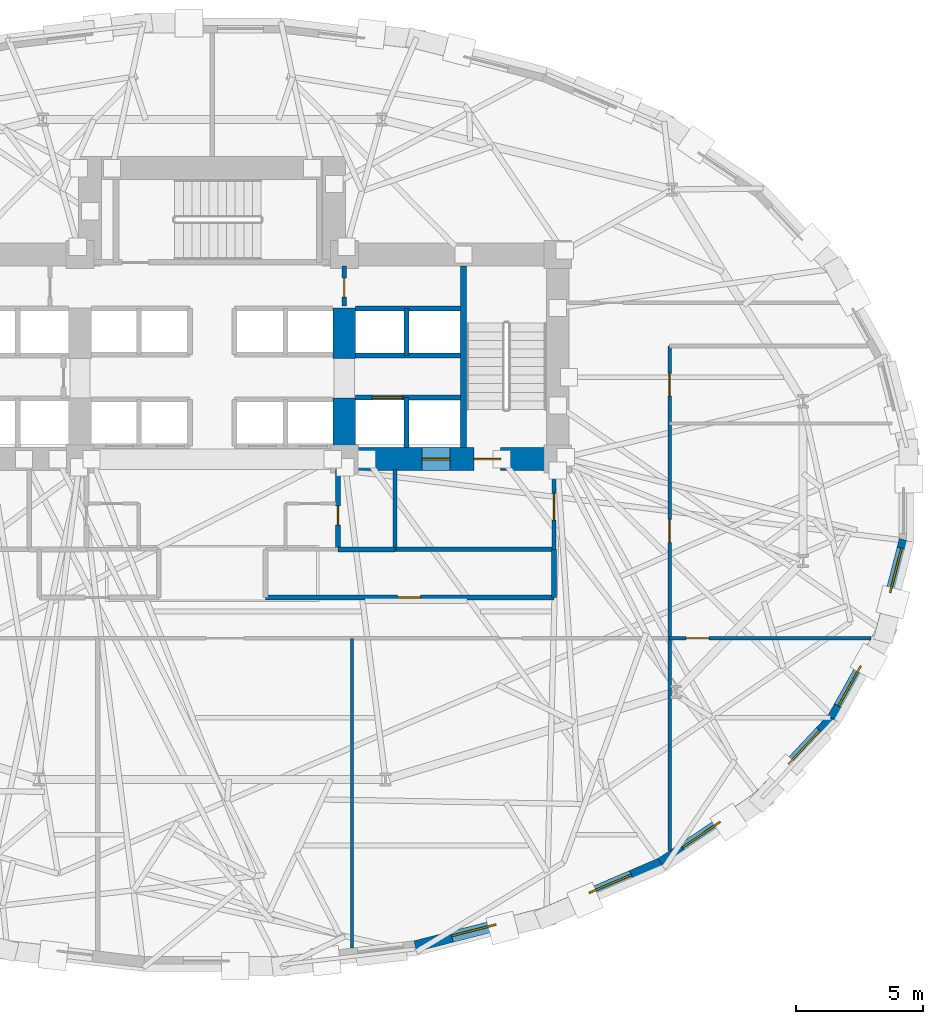
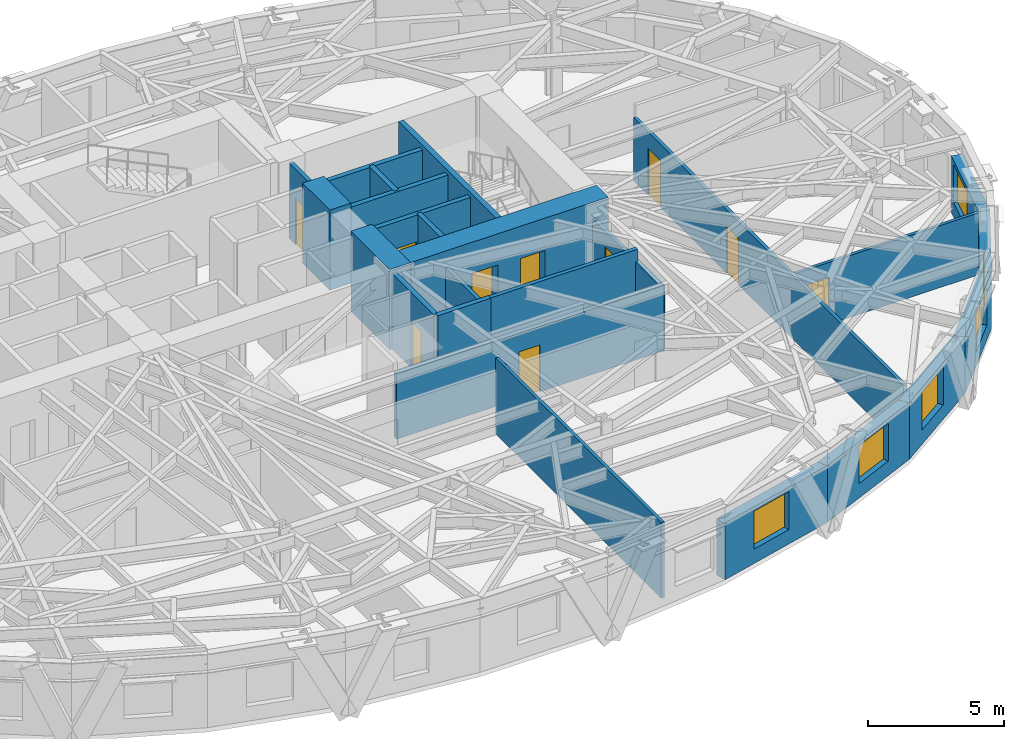
# One storey, part 8 of 14: 26 walls, 10 doors, 6 windows, 16 openings.
"""IFC4 building model written with IfcOpenShell, lengths in metres."""

from ifc_helpers import new_model, si_unit, direction, frame, frame_2d, origin, place, context, subcontext, project, spatial, rectangle, extrude, material, layer, layer_set, type_object, element, fill, save


model = new_model("IFC4")

# Units and contexts
model_context = context("Model", 3, precision=1e-05, world=origin(), true_north=direction((0.0, 1.0)))
body_context = subcontext(model_context, "Body", "Model", "MODEL_VIEW")
ifc_project = project(units=[si_unit("LENGTHUNIT", "METRE"), si_unit("AREAUNIT", "SQUARE_METRE"), si_unit("VOLUMEUNIT", "CUBIC_METRE"), si_unit("PLANEANGLEUNIT", "RADIAN"), si_unit("MASSUNIT", "GRAM", prefix="KILO")], contexts=[model_context])

# Site, building, storey
site_placement = place(None, origin())
site = spatial("IfcSite", under=ifc_project, at=site_placement, CompositionType="ELEMENT")
building_placement = place(site_placement, origin())
building = spatial("IfcBuilding", under=site, at=building_placement, Name="Keldmark Tower", CompositionType="ELEMENT")
storey_placement = place(building_placement, frame((0.0, 0.0, 48.60009765625)))
storey = spatial("IfcBuildingStorey", under=building, at=storey_placement, Name="L12", CompositionType="ELEMENT", Elevation=48.60009765625)

# Wall, openings, doors
ifc_material_1 = material(Name="Acoustic Double-Layer Gypsum Corridor Partition", Category="gypsum")
ifc_layer_1 = layer(ifc_material_1, 0.139892578125)
ifc_layer_set_1 = layer_set([ifc_layer_1], Name="Acoustic Double-Layer Gypsum Corridor Partition")
wall_type_1 = type_object("IfcWallType", Name="Acoustic Corridor Partition 140 mm", PredefinedType="PARTITIONING", material=ifc_layer_set_1)
wall_1_placement = place(storey_placement, frame((18.0, -13.999755859375, 0.0), z_axis=(0.0, 0.0, 1.0), x_axis=(0.0, 1.0, 0.0)))
wall_1 = element("IfcWall", 1, at=wall_1_placement, inside=storey, type_object=wall_type_1, Name="L12 Acoustic Corridor Partition 140 mm COR-E", PredefinedType="PARTITIONING", context=body_context, shape_type="SweptSolid", body=[
    extrude(rectangle(XDim=19.849853515625, YDim=0.139892578125, at=frame_2d((9.9248046875, 0.0))), origin(), (0.0, 0.0, 1.0), 2.8408203125),
])
opening_1_placement = place(wall_1_placement, frame((12.12451171875, 0.0, 0.0)))
opening_1 = element("IfcOpeningElement", 2, at=opening_1_placement, cuts=wall_1, Name="Opening D-IN090", PredefinedType="OPENING", context=body_context, shape_type="SweptSolid", body=[
    extrude(rectangle(XDim=0.89990234375, YDim=2.10009765625, at=frame_2d((0.449951171875, 1.050048828125))), frame((0.0, 0.079833984375, 0.0), z_axis=(0.0, -1.0, 0.0), x_axis=(1.0, 0.0, 0.0)), (0.0, 0.0, 1.0), 0.159912109375),
])
opening_2_placement = place(wall_1_placement, frame((17.87451171875, 0.0, 0.0)))
opening_2 = element("IfcOpeningElement", 3, at=opening_2_placement, cuts=wall_1, Name="Opening D-IN090", PredefinedType="OPENING", context=body_context, shape_type="SweptSolid", body=[
    extrude(rectangle(XDim=0.89990234375, YDim=2.10009765625, at=frame_2d((0.449951171875, 1.050048828125))), frame((0.0, 0.079833984375, 0.0), z_axis=(0.0, -1.0, 0.0), x_axis=(1.0, 0.0, 0.0)), (0.0, 0.0, 1.0), 0.159912109375),
])
ifc_material_2 = material(Name="Stained American White Oak Veneer", Category="wood")
door_type_1 = type_object("IfcDoorType", Name="Interior Door 900x2100", OperationType="NOTDEFINED", PredefinedType="DOOR", material=ifc_material_2)
door_1_placement = place(opening_1_placement, origin())
door_1 = element("IfcDoor", 4, at=door_1_placement, inside=storey, type_object=door_type_1, Name="L12 Interior Door 900x2100 D-ER-1-L12", OperationType="SINGLE_SWING_RIGHT", OverallHeight=2.10009765625, OverallWidth=0.89990234375, PredefinedType="DOOR", context=body_context, shape_type="SweptSolid", body=[
    extrude(rectangle(XDim=0.89990234375, YDim=2.10009765625, at=frame_2d((0.449951171875, 1.050048828125))), frame((0.0, 0.02490234375, 0.0), z_axis=(0.0, -1.0, 0.0), x_axis=(1.0, 0.0, 0.0)), (0.0, 0.0, 1.0), 0.050048828125),
])
fill(opening_1, door_1)
door_2_placement = place(opening_2_placement, origin())
door_2 = element("IfcDoor", 5, at=door_2_placement, inside=storey, type_object=door_type_1, Name="L12 Interior Door 900x2100 D-ER-2-L12", OperationType="SINGLE_SWING_LEFT", OverallHeight=2.10009765625, OverallWidth=0.89990234375, PredefinedType="DOOR", context=body_context, shape_type="SweptSolid", body=[
    extrude(rectangle(XDim=0.89990234375, YDim=2.10009765625, at=frame_2d((0.449951171875, 1.050048828125))), frame((0.0, 0.02490234375, 0.0), z_axis=(0.0, -1.0, 0.0), x_axis=(1.0, 0.0, 0.0)), (0.0, 0.0, 1.0), 0.050048828125),
])
fill(opening_2, door_2)

# Wall, opening, door
ifc_material_3 = material(Name="Heavy Acoustic Plumbing Chase Gypsum Assembly", Category="gypsum")
ifc_layer_2 = layer(ifc_material_3, 0.18994140625)
ifc_layer_set_2 = layer_set([ifc_layer_2], Name="Heavy Acoustic Plumbing Chase Gypsum Assembly")
wall_type_2 = type_object("IfcWallType", Name="Heavy Wet Wall 190 mm", PredefinedType="PLUMBINGWALL", material=ifc_layer_set_2)
wall_2_placement = place(storey_placement, frame((2.10009765625, -4.050048828125, 0.0), z_axis=(0.0, 0.0, 1.0), x_axis=(1.0, 0.0, 0.0)))
wall_2 = element("IfcWall", 6, at=wall_2_placement, inside=storey, type_object=wall_type_2, Name="L12 Heavy Wet Wall 190 mm SPK-E-S", PredefinedType="PLUMBINGWALL", context=body_context, shape_type="SweptSolid", body=[
    extrude(rectangle(XDim=11.349853515625, YDim=0.18994140625, at=frame_2d((5.6748046875, 0.0))), origin(), (0.0, 0.0, 1.0), 2.932861328125),
])
opening_3_placement = place(wall_2_placement, frame((5.199951171875, 0.0, 0.0)))
opening_3 = element("IfcOpeningElement", 7, at=opening_3_placement, cuts=wall_2, Name="Opening D-IN090", PredefinedType="OPENING", context=body_context, shape_type="SweptSolid", body=[
    extrude(rectangle(XDim=0.89990234375, YDim=2.10009765625, at=frame_2d((0.449951171875, 1.050048828125))), frame((0.0, 0.10498046875, 0.0), z_axis=(0.0, -1.0, 0.0), x_axis=(1.0, 0.0, 0.0)), (0.0, 0.0, 1.0), 0.2099609375),
])
door_3_placement = place(opening_3_placement, origin())
door_3 = element("IfcDoor", 8, at=door_3_placement, inside=storey, type_object=door_type_1, Name="L12 Interior Door 900x2100 D-SPKE1-L12", OperationType="SINGLE_SWING_RIGHT", OverallHeight=2.10009765625, OverallWidth=0.89990234375, PredefinedType="DOOR", context=body_context, shape_type="SweptSolid", body=[
    extrude(rectangle(XDim=0.89990234375, YDim=2.10009765625, at=frame_2d((0.449951171875, 1.050048828125))), frame((0.0, 0.02490234375, 0.0), z_axis=(0.0, -1.0, 0.0), x_axis=(1.0, 0.0, 0.0)), (0.0, 0.0, 1.0), 0.050048828125),
])
fill(opening_3, door_3)

# Walls
wall_3_placement = place(storey_placement, frame((13.449951171875, -4.050048828125, 0.0), z_axis=(0.0, 0.0, 1.0), x_axis=(0.0, 1.0, 0.0)))
element("IfcWall", 9, at=wall_3_placement, inside=storey, type_object=wall_type_2, Name="L12 Heavy Wet Wall 190 mm SPK-E-E", PredefinedType="PLUMBINGWALL", context=body_context, shape_type="SweptSolid", body=[
    extrude(rectangle(XDim=1.900146484375, YDim=0.18994140625, at=frame_2d((0.9501953125, 0.0))), origin(), (0.0, 0.0, 1.0), 2.852783203125),
])
ifc_material_4 = material(Name="Acoustic Gypsum Board Interior Partition", Category="gypsum")
ifc_layer_3 = layer(ifc_material_4, 0.1298828125)
ifc_layer_set_3 = layer_set([ifc_layer_3], Name="Acoustic Gypsum Board Interior Partition")
wall_type_3 = type_object("IfcWallType", Name="Interior Partition 130 mm", PredefinedType="PARTITIONING", material=ifc_layer_set_3)
wall_4_placement = place(storey_placement, frame((5.5, -17.83154296875, 0.0), z_axis=(0.0, 0.0, 1.0), x_axis=(0.0, 1.0, 0.0)))
element("IfcWall", 10, at=wall_4_placement, inside=storey, type_object=wall_type_3, Name="L12 Interior Partition 130 mm S-DIV-2", PredefinedType="PARTITIONING", context=body_context, shape_type="SweptSolid", body=[
    extrude(rectangle(XDim=12.181640625, YDim=0.1298828125, at=frame_2d((6.0908203125, 0.0))), origin(), (0.0, 0.0, 1.0), 3.39990234375),
])

# Wall, opening, door
wall_5_placement = place(storey_placement, frame((18.0, -5.64990234375, 0.0), z_axis=(0.0, 0.0, 1.0), x_axis=(1.0, 0.0, 0.0)))
wall_5 = element("IfcWall", 11, at=wall_5_placement, inside=storey, type_object=wall_type_3, Name="L12 Interior Partition 130 mm E-CAP-S", PredefinedType="PARTITIONING", context=body_context, shape_type="SweptSolid", body=[
    extrude(rectangle(XDim=7.91650390625, YDim=0.1298828125, at=frame_2d((3.958251953125, 0.0))), origin(), (0.0, 0.0, 1.0), 2.77880859375),
])
opening_4_placement = place(wall_5_placement, frame((0.64990234375, 0.0, 0.0)))
opening_4 = element("IfcOpeningElement", 12, at=opening_4_placement, cuts=wall_5, Name="Opening D-IN090", PredefinedType="OPENING", context=body_context, shape_type="SweptSolid", body=[
    extrude(rectangle(XDim=0.89990234375, YDim=2.10009765625, at=frame_2d((0.449951171875, 1.050048828125))), frame((0.0, 0.074951171875, 0.0), z_axis=(0.0, -1.0, 0.0), x_axis=(1.0, 0.0, 0.0)), (0.0, 0.0, 1.0), 0.14990234375),
])
door_4_placement = place(opening_4_placement, origin())
door_4 = element("IfcDoor", 13, at=door_4_placement, inside=storey, type_object=door_type_1, Name="L12 Interior Door 900x2100 D-ERSE-L12", OperationType="SINGLE_SWING_RIGHT", OverallHeight=2.10009765625, OverallWidth=0.89990234375, PredefinedType="DOOR", context=body_context, shape_type="SweptSolid", body=[
    extrude(rectangle(XDim=0.89990234375, YDim=2.10009765625, at=frame_2d((0.449951171875, 1.050048828125))), frame((0.0, 0.02490234375, 0.0), z_axis=(0.0, -1.0, 0.0), x_axis=(1.0, 0.0, 0.0)), (0.0, 0.0, 1.0), 0.050048828125),
])
fill(opening_4, door_4)

# Wall, openings, doors
ifc_material_5 = material(Name="Concrete C70/85", Category="concrete")
ifc_layer_4 = layer(ifc_material_5, 0.89990234375)
ifc_layer_set_4 = layer_set([ifc_layer_4], Name="Concrete C70/85")
wall_type_4 = type_object("IfcWallType", Name="Lower Core Shear Wall 900 mm", PredefinedType="SHEAR", material=ifc_layer_set_4)
wall_6_placement = place(storey_placement, frame((14.050048828125, 1.39990234375, 0.0), z_axis=(0.0, 0.0, 1.0), x_axis=(-1.0, 0.0, 0.0)))
wall_6 = element("IfcWall", 14, at=wall_6_placement, inside=storey, type_object=wall_type_4, Name="L12 East Core South Shear Wall", PredefinedType="SHEAR", context=body_context, shape_type="SweptSolid", body=[
    extrude(rectangle(XDim=9.300048828125, YDim=0.89990234375, at=frame_2d((4.64990234375, 0.0))), origin(), (0.0, 0.0, 1.0), 3.599853515625),
])
opening_5_placement = place(wall_6_placement, frame((2.699951171875, 0.0, 0.0)))
opening_5 = element("IfcOpeningElement", 15, at=opening_5_placement, cuts=wall_6, Name="Opening D-ST105", PredefinedType="OPENING", context=body_context, shape_type="SweptSolid", body=[
    extrude(rectangle(XDim=1.050048828125, YDim=2.14990234375, at=frame_2d((0.52490234375, 1.074951171875))), frame((0.0, 0.4599609375, 0.0), z_axis=(0.0, -1.0, 0.0), x_axis=(1.0, 0.0, 0.0)), (0.0, 0.0, 1.0), 0.919921875),
])
opening_6_placement = place(wall_6_placement, frame((4.699951171875, 0.0, 0.0)))
opening_6 = element("IfcOpeningElement", 16, at=opening_6_placement, cuts=wall_6, Name="Opening LD-110", PredefinedType="OPENING", context=body_context, shape_type="SweptSolid", body=[
    extrude(rectangle(XDim=1.10009765625, YDim=2.199951171875, at=frame_2d((0.550048828125, 1.10009765625))), frame((0.0, 0.4599609375, 0.0), z_axis=(0.0, -1.0, 0.0), x_axis=(1.0, 0.0, 0.0)), (0.0, 0.0, 1.0), 0.919921875),
])
ifc_material_6 = material(Name="Brushed Bronze Hoistway Sliding Leaf", Category="metal")
door_type_2 = type_object("IfcDoorType", Name="Lift Landing Sliding Door 1100x2200", OperationType="SLIDING_TO_LEFT", PredefinedType="DOOR", material=ifc_material_6)
door_5_placement = place(opening_6_placement, origin())
door_5 = element("IfcDoor", 17, at=door_5_placement, inside=storey, type_object=door_type_2, Name="L12 Lift Landing Sliding Door 1100x2200 LD-EL-FS2-L12", OperationType="SLIDING_TO_LEFT", OverallHeight=2.199951171875, OverallWidth=1.10009765625, PredefinedType="DOOR", context=body_context, shape_type="SweptSolid", body=[
    extrude(rectangle(XDim=1.10009765625, YDim=2.199951171875, at=frame_2d((0.550048828125, 1.10009765625))), frame((0.0, 0.02490234375, 0.0), z_axis=(0.0, -1.0, 0.0), x_axis=(1.0, 0.0, 0.0)), (0.0, 0.0, 1.0), 0.050048828125),
])
fill(opening_6, door_5)
ifc_material_7 = material(Name="Hollow Metal Fire-Rated Door Assembly", Category="metal")
door_type_3 = type_object("IfcDoorType", Name="Stair Fire Door 1050x2150", OperationType="NOTDEFINED", PredefinedType="DOOR", material=ifc_material_7)
door_6_placement = place(opening_5_placement, origin())
door_6 = element("IfcDoor", 18, at=door_6_placement, inside=storey, type_object=door_type_3, Name="L12 Stair Fire Door 1050x2150 D-ST2-L12", OperationType="SINGLE_SWING_LEFT", OverallHeight=2.14990234375, OverallWidth=1.050048828125, PredefinedType="DOOR", context=body_context, shape_type="SweptSolid", body=[
    extrude(rectangle(XDim=1.050048828125, YDim=2.14990234375, at=frame_2d((0.52490234375, 1.074951171875))), frame((0.0, 0.02490234375, 0.0), z_axis=(0.0, -1.0, 0.0), x_axis=(1.0, 0.0, 0.0)), (0.0, 0.0, 1.0), 0.050048828125),
])
fill(opening_5, door_6)

# Walls
wall_7_placement = place(storey_placement, frame((5.199951171875, 0.949951171875, 0.0), z_axis=(0.0, 0.0, 1.0), x_axis=(0.0, 1.0, 0.0)))
element("IfcWall", 19, at=wall_7_placement, inside=storey, type_object=wall_type_4, Name="L12 East Core Inner Shear Pier South", PredefinedType="SHEAR", context=body_context, shape_type="SweptSolid", body=[
    extrude(rectangle(XDim=2.85009765625, YDim=0.89990234375, at=frame_2d((1.425048828125, 0.0))), origin(), (0.0, 0.0, 1.0), 3.599853515625),
])
wall_8_placement = place(storey_placement, frame((5.199951171875, 5.35009765625, 0.0), z_axis=(0.0, 0.0, 1.0), x_axis=(0.0, 1.0, 0.0)))
element("IfcWall", 20, at=wall_8_placement, inside=storey, type_object=wall_type_4, Name="L12 East Core Inner Shear Pier North", PredefinedType="SHEAR", context=body_context, shape_type="SweptSolid", body=[
    extrude(rectangle(XDim=2.0, YDim=0.89990234375, at=frame_2d((1.0, 0.0))), origin(), (0.0, 0.0, 1.0), 3.599853515625),
])
ifc_material_8 = material(Name="Type X Fire-Rated Gypsum Partition Assembly", Category="gypsum")
ifc_layer_5 = layer(ifc_material_8, 0.1650390625)
ifc_layer_set_5 = layer_set([ifc_layer_5], Name="Type X Fire-Rated Gypsum Partition Assembly")
wall_type_5 = type_object("IfcWallType", Name="Rated Partition 165 mm", PredefinedType="PARTITIONING", material=ifc_layer_set_5)
wall_9_placement = place(storey_placement, frame((7.199951171875, -2.14990234375, 0.0), z_axis=(0.0, 0.0, 1.0), x_axis=(1.0, 0.0, 0.0)))
element("IfcWall", 21, at=wall_9_placement, inside=storey, type_object=wall_type_5, Name="L12 Rated Partition 165 mm FSAE-E-S", PredefinedType="PARTITIONING", context=body_context, shape_type="SweptSolid", body=[
    extrude(rectangle(XDim=6.25, YDim=0.1650390625, at=frame_2d((3.125, 0.0))), origin(), (0.0, 0.0, 1.0), 3.39990234375),
])
wall_10_placement = place(storey_placement, frame((7.199951171875, -2.14990234375, 0.0), z_axis=(0.0, 0.0, 1.0), x_axis=(0.0, 1.0, 0.0)))
element("IfcWall", 22, at=wall_10_placement, inside=storey, type_object=wall_type_5, Name="L12 Rated Partition 165 mm FSAE-E-W", PredefinedType="PARTITIONING", context=body_context, shape_type="SweptSolid", body=[
    extrude(rectangle(XDim=3.14990234375, YDim=0.1650390625, at=frame_2d((1.574951171875, 0.0))), origin(), (0.0, 0.0, 1.0), 2.852783203125),
])

# Wall, opening, door
wall_11_placement = place(storey_placement, frame((13.449951171875, -2.14990234375, 0.0), z_axis=(0.0, 0.0, 1.0), x_axis=(0.0, 1.0, 0.0)))
wall_11 = element("IfcWall", 23, at=wall_11_placement, inside=storey, type_object=wall_type_5, Name="L12 Rated Partition 165 mm FSAE-E-E", PredefinedType="PARTITIONING", context=body_context, shape_type="SweptSolid", body=[
    extrude(rectangle(XDim=3.14990234375, YDim=0.1650390625, at=frame_2d((1.574951171875, 0.0))), origin(), (0.0, 0.0, 1.0), 2.852783203125),
])
opening_7_placement = place(wall_11_placement, frame((1.14990234375, 0.0, 0.0)))
opening_7 = element("IfcOpeningElement", 24, at=opening_7_placement, cuts=wall_11, Name="Opening D-FL105", PredefinedType="OPENING", context=body_context, shape_type="SweptSolid", body=[
    extrude(rectangle(XDim=1.050048828125, YDim=2.14990234375, at=frame_2d((0.52490234375, 1.074951171875))), frame((0.0, 0.092529296875, 0.0), z_axis=(0.0, -1.0, 0.0), x_axis=(1.0, 0.0, 0.0)), (0.0, 0.0, 1.0), 0.18505859375),
])
ifc_material_9 = material(Name="Fire-Rated Mineral-Core Door and Vision Lite", Category="metal")
door_type_4 = type_object("IfcDoorType", Name="Fire Lobby Door 1050x2150", OperationType="NOTDEFINED", PredefinedType="DOOR", material=ifc_material_9)
door_7_placement = place(opening_7_placement, origin())
door_7 = element("IfcDoor", 25, at=door_7_placement, inside=storey, type_object=door_type_4, Name="L12 Fire Lobby Door 1050x2150 D-FSAEE-OUT-L12", OperationType="SINGLE_SWING_LEFT", OverallHeight=2.14990234375, OverallWidth=1.050048828125, PredefinedType="DOOR", context=body_context, shape_type="SweptSolid", body=[
    extrude(rectangle(XDim=1.050048828125, YDim=2.14990234375, at=frame_2d((0.52490234375, 1.074951171875))), frame((0.0, 0.02490234375, 0.0), z_axis=(0.0, -1.0, 0.0), x_axis=(1.0, 0.0, 0.0)), (0.0, 0.0, 1.0), 0.050048828125),
])
fill(opening_7, door_7)

wall_12_placement = place(storey_placement, frame((5.199951171875, 7.419921875, 0.0), z_axis=(0.0, 0.0, 1.0), x_axis=(0.0, 1.0, 0.0)))
wall_12 = element("IfcWall", 26, at=wall_12_placement, inside=storey, type_object=wall_type_5, Name="L12 Rated Partition 165 mm CS-NE-W", PredefinedType="PARTITIONING", context=body_context, shape_type="SweptSolid", body=[
    extrude(rectangle(XDim=1.580078125, YDim=0.1650390625, at=frame_2d((0.7900390625, 0.0))), origin(), (0.0, 0.0, 1.0), 3.39990234375),
])
opening_8_placement = place(wall_12_placement, frame((0.35009765625, 0.0, 0.0)))
opening_8 = element("IfcOpeningElement", 27, at=opening_8_placement, cuts=wall_12, Name="Opening D-RS075", PredefinedType="OPENING", context=body_context, shape_type="SweptSolid", body=[
    extrude(rectangle(XDim=0.75, YDim=2.10009765625, at=frame_2d((0.375, 1.050048828125))), frame((0.0, 0.092529296875, 0.0), z_axis=(0.0, -1.0, 0.0), x_axis=(1.0, 0.0, 0.0)), (0.0, 0.0, 1.0), 0.18505859375),
])
ifc_material_10 = material(Name="Galvanized Fire-Rated Access Leaf", Category="metal")
door_type_5 = type_object("IfcDoorType", Name="Riser Access Door 750x2100", OperationType="NOTDEFINED", PredefinedType="DOOR", material=ifc_material_10)
door_8_placement = place(opening_8_placement, origin())
door_8 = element("IfcDoor", 28, at=door_8_placement, inside=storey, type_object=door_type_5, Name="L12 Riser Access Door 750x2100 D-CSNE1-L12", OperationType="SINGLE_SWING_LEFT", OverallHeight=2.10009765625, OverallWidth=0.75, PredefinedType="DOOR", context=body_context, shape_type="SweptSolid", body=[
    extrude(rectangle(XDim=0.75, YDim=2.10009765625, at=frame_2d((0.375, 1.050048828125))), frame((0.0, 0.02490234375, 0.0), z_axis=(0.0, -1.0, 0.0), x_axis=(1.0, 0.0, 0.0)), (0.0, 0.0, 1.0), 0.050048828125),
])
fill(opening_8, door_8)

# Wall
ifc_material_11 = material(Name="Fire-Resistant Type X Gypsum Shaftliner Coreboard", Category="gypsum")
ifc_layer_6 = layer(ifc_material_11, 0.199951171875)
ifc_layer_set_6 = layer_set([ifc_layer_6], Name="Fire-Resistant Type X Gypsum Shaftliner Coreboard")
wall_type_6 = type_object("IfcWallType", Name="Shaft Wall 200 mm", PredefinedType="SOLIDWALL", material=ifc_layer_set_6)
wall_13_placement = place(storey_placement, frame((4.949951171875, -2.14990234375, 0.0), z_axis=(0.0, 0.0, 1.0), x_axis=(1.0, 0.0, 0.0)))
element("IfcWall", 29, at=wall_13_placement, inside=storey, type_object=wall_type_6, Name="L12 Shaft Wall 200 mm RIS-SE-S", PredefinedType="SOLIDWALL", context=body_context, shape_type="SweptSolid", body=[
    extrude(rectangle(XDim=2.25, YDim=0.199951171875, at=frame_2d((1.125, 0.0))), origin(), (0.0, 0.0, 1.0), 3.39990234375),
])

# Wall, opening, door
wall_14_placement = place(storey_placement, frame((4.949951171875, -2.14990234375, 0.0), z_axis=(0.0, 0.0, 1.0), x_axis=(0.0, 1.0, 0.0)))
wall_14 = element("IfcWall", 30, at=wall_14_placement, inside=storey, type_object=wall_type_6, Name="L12 Shaft Wall 200 mm RIS-SE-W", PredefinedType="SOLIDWALL", context=body_context, shape_type="SweptSolid", body=[
    extrude(rectangle(XDim=3.14990234375, YDim=0.199951171875, at=frame_2d((1.574951171875, 0.0))), origin(), (0.0, 0.0, 1.0), 3.39990234375),
])
opening_9_placement = place(wall_14_placement, frame((0.949951171875, 0.0, 0.0)))
opening_9 = element("IfcOpeningElement", 31, at=opening_9_placement, cuts=wall_14, Name="Opening D-RS075", PredefinedType="OPENING", context=body_context, shape_type="SweptSolid", body=[
    extrude(rectangle(XDim=0.75, YDim=2.10009765625, at=frame_2d((0.375, 1.050048828125))), frame((0.0, 0.10986328125, 0.0), z_axis=(0.0, -1.0, 0.0), x_axis=(1.0, 0.0, 0.0)), (0.0, 0.0, 1.0), 0.219970703125),
])
door_9_placement = place(opening_9_placement, origin())
door_9 = element("IfcDoor", 32, at=door_9_placement, inside=storey, type_object=door_type_5, Name="L12 Riser Access Door 750x2100 D-RISSE-L12", OperationType="SINGLE_SWING_LEFT", OverallHeight=2.10009765625, OverallWidth=0.75, PredefinedType="DOOR", context=body_context, shape_type="SweptSolid", body=[
    extrude(rectangle(XDim=0.75, YDim=2.10009765625, at=frame_2d((0.375, 1.050048828125))), frame((0.0, 0.02490234375, 0.0), z_axis=(0.0, -1.0, 0.0), x_axis=(1.0, 0.0, 0.0)), (0.0, 0.0, 1.0), 0.050048828125),
])
fill(opening_9, door_9)

wall_15_placement = place(storey_placement, frame((5.64990234375, 3.820068359375, 0.0), z_axis=(0.0, 0.0, 1.0), x_axis=(1.0, 0.0, 0.0)))
wall_15 = element("IfcWall", 33, at=wall_15_placement, inside=storey, type_object=wall_type_6, Name="L12 Shaft Wall 200 mm HW-E-S", PredefinedType="SOLIDWALL", context=body_context, shape_type="SweptSolid", body=[
    extrude(rectangle(XDim=4.130126953125, YDim=0.199951171875, at=frame_2d((2.06494140625, 0.0))), origin(), (0.0, 0.0, 1.0), 3.39990234375),
])
opening_10_placement = place(wall_15_placement, frame((0.64990234375, 0.0, 0.0)))
opening_10 = element("IfcOpeningElement", 34, at=opening_10_placement, cuts=wall_15, Name="Opening LD-120", PredefinedType="OPENING", context=body_context, shape_type="SweptSolid", body=[
    extrude(rectangle(XDim=1.199951171875, YDim=2.199951171875, at=frame_2d((0.60009765625, 1.10009765625))), frame((0.0, 0.10986328125, 0.0), z_axis=(0.0, -1.0, 0.0), x_axis=(1.0, 0.0, 0.0)), (0.0, 0.0, 1.0), 0.219970703125),
])
ifc_material_12 = material(Name="Heavy-Duty Brushed Metal Hoistway Sliding Leaf", Category="metal")
door_type_6 = type_object("IfcDoorType", Name="Service Lift Sliding Door 1200x2200", OperationType="SLIDING_TO_RIGHT", PredefinedType="DOOR", material=ifc_material_12)
door_10_placement = place(opening_10_placement, origin())
door_10 = element("IfcDoor", 35, at=door_10_placement, inside=storey, type_object=door_type_6, Name="L12 Service Lift Sliding Door 1200x2200 LD-EL-SV1-L12", OperationType="SLIDING_TO_RIGHT", OverallHeight=2.199951171875, OverallWidth=1.199951171875, PredefinedType="DOOR", context=body_context, shape_type="SweptSolid", body=[
    extrude(rectangle(XDim=1.199951171875, YDim=2.199951171875, at=frame_2d((0.60009765625, 1.10009765625))), frame((0.0, 0.02490234375, 0.0), z_axis=(0.0, -1.0, 0.0), x_axis=(1.0, 0.0, 0.0)), (0.0, 0.0, 1.0), 0.050048828125),
])
fill(opening_10, door_10)

# Walls
wall_16_placement = place(storey_placement, frame((7.64990234375, 1.85009765625, 0.0), z_axis=(0.0, 0.0, 1.0), x_axis=(0.0, 1.0, 0.0)))
element("IfcWall", 36, at=wall_16_placement, inside=storey, type_object=wall_type_6, Name="L12 Shaft Wall 200 mm HW-E-M", PredefinedType="SOLIDWALL", context=body_context, shape_type="SweptSolid", body=[
    extrude(rectangle(XDim=1.969970703125, YDim=0.199951171875, at=frame_2d((0.98486328125, 0.0))), origin(), (0.0, 0.0, 1.0), 3.39990234375),
])
for number, where, z_axis, x_axis, name in (
    (37, (5.64990234375, 5.469970703125, 0.0), (0.0, 0.0, 1.0), (1.0, 0.0, 0.0), "L12 Shaft Wall 200 mm HW-E-N"),
    (38, (5.64990234375, 7.330078125, 0.0), (0.0, 0.0, 1.0), (1.0, 0.0, 0.0), "L12 Shaft Wall 200 mm HW-E-TOP"),
):
    element("IfcWall", number, at=place(storey_placement, frame(where, z_axis=z_axis, x_axis=x_axis)), inside=storey, type_object=wall_type_6, Name=name, PredefinedType="SOLIDWALL", context=body_context, shape_type="SweptSolid", body=[
        extrude(rectangle(XDim=4.130126953125, YDim=0.199951171875, at=frame_2d((2.06494140625, 0.0))), origin(), (0.0, 0.0, 1.0), 3.39990234375),
    ])
wall_17_placement = place(storey_placement, frame((7.64990234375, 5.469970703125, 0.0), z_axis=(0.0, 0.0, 1.0), x_axis=(0.0, 1.0, 0.0)))
element("IfcWall", 39, at=wall_17_placement, inside=storey, type_object=wall_type_6, Name="L12 Shaft Wall 200 mm HW-E-NM", PredefinedType="SOLIDWALL", context=body_context, shape_type="SweptSolid", body=[
    extrude(rectangle(XDim=1.860107421875, YDim=0.199951171875, at=frame_2d((0.93017578125, 0.0))), origin(), (0.0, 0.0, 1.0), 3.39990234375),
])
ifc_material_13 = material(Name="Concrete C50/60", Category="concrete")
ifc_layer_7 = layer(ifc_material_13, 0.219970703125)
ifc_layer_set_7 = layer_set([ifc_layer_7], Name="Concrete C50/60")
wall_type_7 = type_object("IfcWallType", Name="Stair Core Shear Wall 220 mm", PredefinedType="SHEAR", material=ifc_layer_set_7)
wall_18_placement = place(storey_placement, frame((9.889892578125, 1.85009765625, 0.0), z_axis=(0.0, 0.0, 1.0), x_axis=(0.0, 1.0, 0.0)))
element("IfcWall", 40, at=wall_18_placement, inside=storey, type_object=wall_type_7, Name="L12 East Stair Core Shear Wall", PredefinedType="SHEAR", context=body_context, shape_type="SweptSolid", body=[
    extrude(rectangle(XDim=7.14990234375, YDim=0.219970703125, at=frame_2d((3.574951171875, 0.0))), origin(), (0.0, 0.0, 1.0), 3.599853515625),
])

# Wall, opening, window
ifc_material_14 = material(Name="Ironspot Manganese Brick and Kasota Buff Limestone Spandrel Assembly", Category="masonry")
ifc_layer_8 = layer(ifc_material_14, 0.43994140625)
ifc_layer_set_8 = layer_set([ifc_layer_8], Name="Ironspot Manganese Brick and Kasota Buff Limestone Spandrel Assembly")
wall_type_8 = type_object("IfcWallType", Name="Tower Brick Pier and Spandrel Wall 440 mm", PredefinedType="STANDARD", material=ifc_layer_set_8)
wall_19_placement = place(storey_placement, frame((13.098876953125, -16.4619140625, 0.0), z_axis=(0.0, 0.0, 1.0), x_axis=(-0.968705592422, -0.248212560542, 0.0)))
wall_19 = element("IfcWall", 41, at=wall_19_placement, inside=storey, type_object=wall_type_8, Name="L12 Exterior Brick and Spandrel Wall 26", PredefinedType="STANDARD", context=body_context, shape_type="SweptSolid", body=[
    extrude(rectangle(XDim=5.26806640625, YDim=0.43994140625, at=frame_2d((2.634033203125, 0.0))), origin(), (0.0, 0.0, 1.0), 2.52880859375),
])
opening_11_placement = place(wall_19_placement, frame((1.9814453125, 0.0, 0.64990234375)))
opening_11 = element("IfcOpeningElement", 42, at=opening_11_placement, cuts=wall_19, Name="Opening W-02", PredefinedType="OPENING", context=body_context, shape_type="SweptSolid", body=[
    extrude(rectangle(XDim=1.800048828125, YDim=1.699951171875, at=frame_2d((0.89990234375, 0.85009765625))), frame((0.0, 0.22998046875, 0.0), z_axis=(0.0, -1.0, 0.0), x_axis=(1.0, 0.0, 0.0)), (0.0, 0.0, 1.0), 0.4599609375),
])
ifc_material_15 = material(Name="Thermally Broken Anodized Aluminum and Triple Low-E Argon Glazing", Category="aluminium")
window_type = type_object("IfcWindowType", Name="Office Deep-Set Triple Window 1800x1700", PartitioningType="TRIPLE_PANEL_VERTICAL", PredefinedType="WINDOW", material=ifc_material_15)
window_1_placement = place(opening_11_placement, origin())
window_1 = element("IfcWindow", 43, at=window_1_placement, inside=storey, type_object=window_type, Name="L12 Deep-Set Window 26", OverallHeight=1.699951171875, OverallWidth=1.800048828125, PartitioningType="SINGLE_PANEL", PredefinedType="WINDOW", context=body_context, shape_type="SweptSolid", body=[
    extrude(rectangle(XDim=1.800048828125, YDim=1.699951171875, at=frame_2d((0.89990234375, 0.85009765625))), frame((0.0, -0.010009765625, 0.0), z_axis=(0.0, -1.0, 0.0), x_axis=(1.0, 0.0, 0.0)), (0.0, 0.0, 1.0), 0.06005859375),
])
fill(opening_11, window_1)

wall_20_placement = place(storey_placement, frame((17.69970703125, -14.4833984375, 0.0), z_axis=(0.0, 0.0, 1.0), x_axis=(-0.918881850071, -0.394532819433, 0.0)))
wall_20 = element("IfcWall", 44, at=wall_20_placement, inside=storey, type_object=wall_type_8, Name="L12 Exterior Brick and Spandrel Wall 27", PredefinedType="STANDARD", context=body_context, shape_type="SweptSolid", body=[
    extrude(rectangle(XDim=5.0419921875, YDim=0.43994140625, at=frame_2d((2.52099609375, 0.0))), origin(), (0.0, 0.0, 1.0), 2.52880859375),
])
opening_12_placement = place(wall_20_placement, frame((1.296875, 0.0, 0.64990234375)))
opening_12 = element("IfcOpeningElement", 45, at=opening_12_placement, cuts=wall_20, Name="Opening W-02", PredefinedType="OPENING", context=body_context, shape_type="SweptSolid", body=[
    extrude(rectangle(XDim=1.800048828125, YDim=1.699951171875, at=frame_2d((0.89990234375, 0.85009765625))), frame((0.0, 0.22998046875, 0.0), z_axis=(0.0, -1.0, 0.0), x_axis=(1.0, 0.0, 0.0)), (0.0, 0.0, 1.0), 0.4599609375),
])
window_2_placement = place(opening_12_placement, origin())
window_2 = element("IfcWindow", 46, at=window_2_placement, inside=storey, type_object=window_type, Name="L12 Deep-Set Window 27", OverallHeight=1.699951171875, OverallWidth=1.800048828125, PartitioningType="SINGLE_PANEL", PredefinedType="WINDOW", context=body_context, shape_type="SweptSolid", body=[
    extrude(rectangle(XDim=1.800048828125, YDim=1.699951171875, at=frame_2d((0.89990234375, 0.85009765625))), frame((0.0, -0.010009765625, 0.0), z_axis=(0.0, -1.0, 0.0), x_axis=(1.0, 0.0, 0.0)), (0.0, 0.0, 1.0), 0.06005859375),
])
fill(opening_12, window_2)

wall_21_placement = place(storey_placement, frame((21.54931640625, -11.8701171875, 0.0), z_axis=(0.0, 0.0, 1.0), x_axis=(-0.827825981515, -0.560984976919, 0.0)))
wall_21 = element("IfcWall", 47, at=wall_21_placement, inside=storey, type_object=wall_type_8, Name="L12 Exterior Brick and Spandrel Wall 28", PredefinedType="STANDARD", context=body_context, shape_type="SweptSolid", body=[
    extrude(rectangle(XDim=4.694580078125, YDim=0.43994140625, at=frame_2d((2.34716796875, 0.0))), origin(), (0.0, 0.0, 1.0), 2.52880859375),
])
opening_13_placement = place(wall_21_placement, frame((1.846435546875, 0.0, 0.64990234375)))
opening_13 = element("IfcOpeningElement", 48, at=opening_13_placement, cuts=wall_21, Name="Opening W-02", PredefinedType="OPENING", context=body_context, shape_type="SweptSolid", body=[
    extrude(rectangle(XDim=1.800048828125, YDim=1.699951171875, at=frame_2d((0.89990234375, 0.85009765625))), frame((0.0, 0.22998046875, 0.0), z_axis=(0.0, -1.0, 0.0), x_axis=(1.0, 0.0, 0.0)), (0.0, 0.0, 1.0), 0.4599609375),
])
window_3_placement = place(opening_13_placement, origin())
window_3 = element("IfcWindow", 49, at=window_3_placement, inside=storey, type_object=window_type, Name="L12 Deep-Set Window 28", OverallHeight=1.699951171875, OverallWidth=1.800048828125, PartitioningType="SINGLE_PANEL", PredefinedType="WINDOW", context=body_context, shape_type="SweptSolid", body=[
    extrude(rectangle(XDim=1.800048828125, YDim=1.699951171875, at=frame_2d((0.89990234375, 0.85009765625))), frame((0.0, -0.010009765625, 0.0), z_axis=(0.0, -1.0, 0.0), x_axis=(1.0, 0.0, 0.0)), (0.0, 0.0, 1.0), 0.06005859375),
])
fill(opening_13, window_3)

wall_22_placement = place(storey_placement, frame((24.44775390625, -8.7626953125, 0.0), z_axis=(0.0, 0.0, 1.0), x_axis=(-0.68299392258, -0.730424056093, 0.0)))
wall_22 = element("IfcWall", 50, at=wall_22_placement, inside=storey, type_object=wall_type_8, Name="L12 Exterior Brick and Spandrel Wall 29", PredefinedType="STANDARD", context=body_context, shape_type="SweptSolid", body=[
    extrude(rectangle(XDim=4.298095703125, YDim=0.43994140625, at=frame_2d((2.14892578125, 0.0))), origin(), (0.0, 0.0, 1.0), 2.52880859375),
])
opening_14_placement = place(wall_22_placement, frame((0.74951171875, 0.0, 0.64990234375)))
opening_14 = element("IfcOpeningElement", 51, at=opening_14_placement, cuts=wall_22, Name="Opening W-02", PredefinedType="OPENING", context=body_context, shape_type="SweptSolid", body=[
    extrude(rectangle(XDim=1.800048828125, YDim=1.699951171875, at=frame_2d((0.89990234375, 0.85009765625))), frame((0.0, 0.22998046875, 0.0), z_axis=(0.0, -1.0, 0.0), x_axis=(1.0, 0.0, 0.0)), (0.0, 0.0, 1.0), 0.4599609375),
])
window_4_placement = place(opening_14_placement, origin())
window_4 = element("IfcWindow", 52, at=window_4_placement, inside=storey, type_object=window_type, Name="L12 Deep-Set Window 29", OverallHeight=1.699951171875, OverallWidth=1.800048828125, PartitioningType="SINGLE_PANEL", PredefinedType="WINDOW", context=body_context, shape_type="SweptSolid", body=[
    extrude(rectangle(XDim=1.800048828125, YDim=1.699951171875, at=frame_2d((0.89990234375, 0.85009765625))), frame((0.0, -0.010009765625, 0.0), z_axis=(0.0, -1.0, 0.0), x_axis=(1.0, 0.0, 0.0)), (0.0, 0.0, 1.0), 0.06005859375),
])
fill(opening_14, window_4)

wall_23_placement = place(storey_placement, frame((26.34619140625, -5.347900390625, 0.0), z_axis=(0.0, 0.0, 1.0), x_axis=(-0.487369438963, -0.873195871477, 0.0)))
wall_23 = element("IfcWall", 53, at=wall_23_placement, inside=storey, type_object=wall_type_8, Name="L12 Exterior Brick and Spandrel Wall 30", PredefinedType="STANDARD", context=body_context, shape_type="SweptSolid", body=[
    extrude(rectangle(XDim=3.9599609375, YDim=0.43994140625, at=frame_2d((1.97998046875, 0.0))), origin(), (0.0, 0.0, 1.0), 2.52880859375),
])
opening_15_placement = place(wall_23_placement, frame((1.617919921875, 0.0, 0.64990234375)))
opening_15 = element("IfcOpeningElement", 54, at=opening_15_placement, cuts=wall_23, Name="Opening W-02", PredefinedType="OPENING", context=body_context, shape_type="SweptSolid", body=[
    extrude(rectangle(XDim=1.800048828125, YDim=1.699951171875, at=frame_2d((0.89990234375, 0.85009765625))), frame((0.0, 0.22998046875, 0.0), z_axis=(0.0, -1.0, 0.0), x_axis=(1.0, 0.0, 0.0)), (0.0, 0.0, 1.0), 0.4599609375),
])
window_5_placement = place(opening_15_placement, origin())
window_5 = element("IfcWindow", 55, at=window_5_placement, inside=storey, type_object=window_type, Name="L12 Deep-Set Window 30", OverallHeight=1.699951171875, OverallWidth=1.800048828125, PartitioningType="SINGLE_PANEL", PredefinedType="WINDOW", context=body_context, shape_type="SweptSolid", body=[
    extrude(rectangle(XDim=1.800048828125, YDim=1.699951171875, at=frame_2d((0.89990234375, 0.85009765625))), frame((0.0, -0.010009765625, 0.0), z_axis=(0.0, -1.0, 0.0), x_axis=(1.0, 0.0, 0.0)), (0.0, 0.0, 1.0), 0.06005859375),
])
fill(opening_15, window_5)

wall_24_placement = place(storey_placement, frame((27.252685546875, -1.7783203125, 0.0), z_axis=(0.0, 0.0, 1.0), x_axis=(-0.248062710061, -0.968743976434, 0.0)))
wall_24 = element("IfcWall", 56, at=wall_24_placement, inside=storey, type_object=wall_type_8, Name="L12 Exterior Brick and Spandrel Wall 31", PredefinedType="STANDARD", context=body_context, shape_type="SweptSolid", body=[
    extrude(rectangle(XDim=3.739013671875, YDim=0.43994140625, at=frame_2d((1.86962890625, 0.0))), origin(), (0.0, 0.0, 1.0), 2.52880859375),
])
opening_16_placement = place(wall_24_placement, frame((0.348876953125, 0.0, 0.64990234375)))
opening_16 = element("IfcOpeningElement", 57, at=opening_16_placement, cuts=wall_24, Name="Opening W-02", PredefinedType="OPENING", context=body_context, shape_type="SweptSolid", body=[
    extrude(rectangle(XDim=1.800048828125, YDim=1.699951171875, at=frame_2d((0.89990234375, 0.85009765625))), frame((0.0, 0.22998046875, 0.0), z_axis=(0.0, -1.0, 0.0), x_axis=(1.0, 0.0, 0.0)), (0.0, 0.0, 1.0), 0.4599609375),
])
window_6_placement = place(opening_16_placement, origin())
window_6 = element("IfcWindow", 58, at=window_6_placement, inside=storey, type_object=window_type, Name="L12 Deep-Set Window 31", OverallHeight=1.699951171875, OverallWidth=1.800048828125, PartitioningType="SINGLE_PANEL", PredefinedType="WINDOW", context=body_context, shape_type="SweptSolid", body=[
    extrude(rectangle(XDim=1.800048828125, YDim=1.699951171875, at=frame_2d((0.89990234375, 0.85009765625))), frame((0.0, -0.010009765625, 0.0), z_axis=(0.0, -1.0, 0.0), x_axis=(1.0, 0.0, 0.0)), (0.0, 0.0, 1.0), 0.06005859375),
])
fill(opening_16, window_6)

save(model, "model.ifc")
